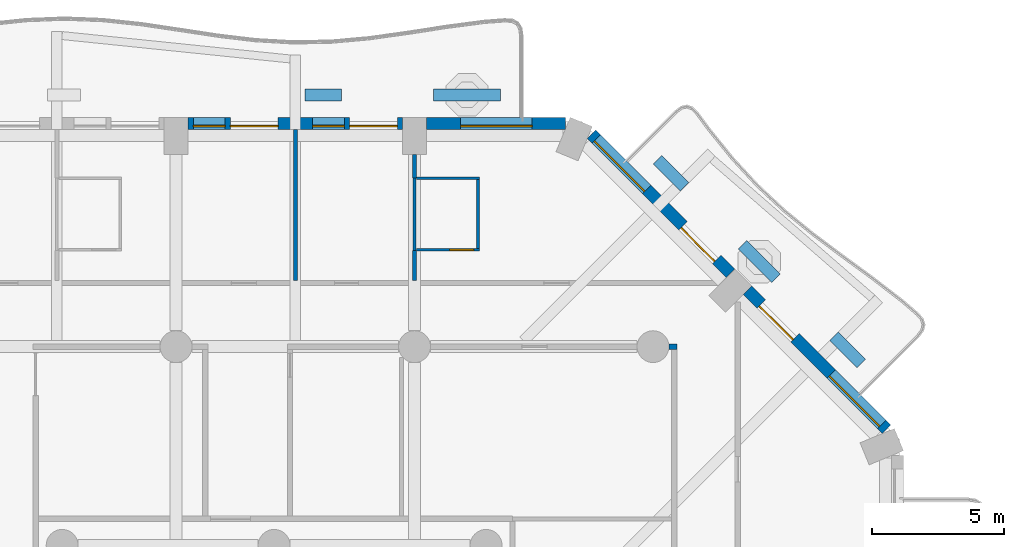
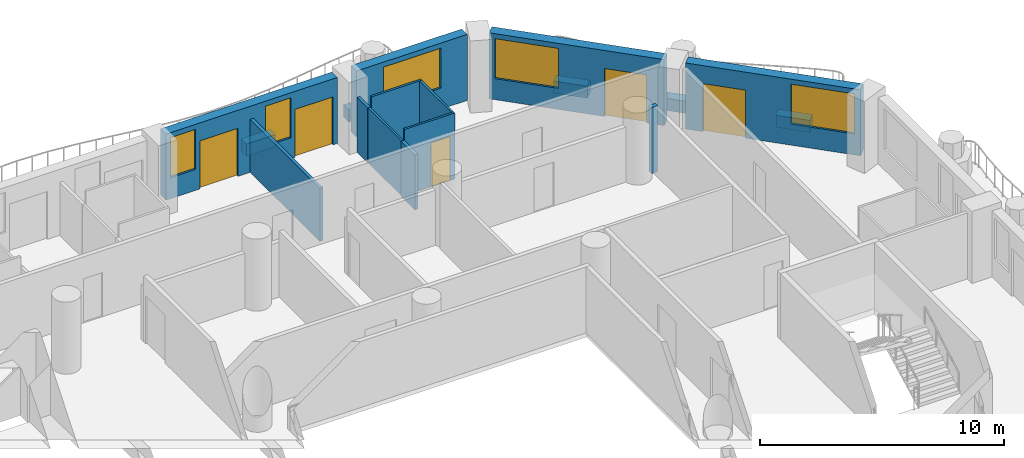
# One storey, part 9 of 19: 17 walls, 5 doors, 5 windows, 10 openings.
"""IFC4 building model written with IfcOpenShell, lengths in metres."""

from ifc_helpers import new_model, si_unit, direction, frame, frame_2d, origin, place, context, subcontext, project, spatial, rectangle, extrude, material, layer, layer_set, type_object, element, fill, save


model = new_model("IFC4")

# Units and contexts
model_context = context("Model", 3, precision=1e-05, world=origin(), true_north=direction((0.0, 1.0)))
body_context = subcontext(model_context, "Body", "Model", "MODEL_VIEW")
ifc_project = project(units=[si_unit("LENGTHUNIT", "METRE"), si_unit("AREAUNIT", "SQUARE_METRE"), si_unit("VOLUMEUNIT", "CUBIC_METRE"), si_unit("PLANEANGLEUNIT", "RADIAN"), si_unit("MASSUNIT", "GRAM", prefix="KILO")], contexts=[model_context])

# Site, building, storey
site_placement = place(None, origin())
site = spatial("IfcSite", under=ifc_project, at=site_placement, CompositionType="ELEMENT")
building_placement = place(site_placement, origin())
building = spatial("IfcBuilding", under=site, at=building_placement, Name="Cypress Arch Tower", CompositionType="ELEMENT")
storey_placement = place(building_placement, frame((0.0, 0.0, 98.699951171875)))
storey = spatial("IfcBuildingStorey", under=building, at=storey_placement, Name="L19", CompositionType="ELEMENT", Elevation=98.699951171875)

# Walls
ifc_material_1 = material(Name="Concrete C40/50, waterproofed", Category="concrete")
ifc_layer_1 = layer(ifc_material_1, 0.449951171875)
ifc_layer_set_1 = layer_set([ifc_layer_1], Name="Balcony planter wall PW450")
wall_type_1 = type_object("IfcWallType", Name="Balcony planter wall PW450", PredefinedType="SOLIDWALL", material=ifc_layer_set_1)
wall_1_placement = place(storey_placement, frame((23.150390625, 16.86376953125, 0.0), z_axis=(0.0, 0.0, 1.0), x_axis=(-0.707106781187, 0.707106781187, 0.0)))
element("IfcWall", 1, at=wall_1_placement, inside=storey, type_object=wall_type_1, Name="Balcony planter wall L19-A07.1", PredefinedType="SOLIDWALL", context=body_context, shape_type="SweptSolid", body=[
    extrude(rectangle(XDim=1.44482421875, YDim=0.449951171875, at=frame_2d((0.722412109375, 0.0))), origin(), (0.0, 0.0, 1.0), 0.60009765625),
])
wall_2_placement = place(storey_placement, frame((19.9365234375, 20.07763671875, 0.0), z_axis=(0.0, 0.0, 1.0), x_axis=(-0.707106781187, 0.707106781187, 0.0)))
element("IfcWall", 2, at=wall_2_placement, inside=storey, type_object=wall_type_1, Name="Balcony planter wall L19-A07.2", PredefinedType="SOLIDWALL", context=body_context, shape_type="SweptSolid", body=[
    extrude(rectangle(XDim=1.780517578125, YDim=0.449951171875, at=frame_2d((0.89013671875, 0.0))), origin(), (0.0, 0.0, 1.0), 0.60009765625),
])
wall_3_placement = place(storey_placement, frame((16.485595703125, 23.528564453125, 0.0), z_axis=(0.0, 0.0, 1.0), x_axis=(-0.707022305137, 0.707191247145, 0.0)))
element("IfcWall", 3, at=wall_3_placement, inside=storey, type_object=wall_type_1, Name="Balcony planter wall L19-A07.3", PredefinedType="SOLIDWALL", context=body_context, shape_type="SweptSolid", body=[
    extrude(rectangle(XDim=1.445068359375, YDim=0.449951171875, at=frame_2d((0.72265625, 0.0))), origin(), (0.0, 0.0, 1.0), 0.60009765625),
])
wall_4_placement = place(storey_placement, frame((9.550048828125, 27.0, 0.0), z_axis=(0.0, 0.0, 1.0), x_axis=(-1.0, 0.0, 0.0)))
element("IfcWall", 4, at=wall_4_placement, inside=storey, type_object=wall_type_1, Name="Balcony planter wall L19-A08.1", PredefinedType="SOLIDWALL", context=body_context, shape_type="SweptSolid", body=[
    extrude(rectangle(XDim=2.53759765625, YDim=0.449951171875, at=frame_2d((1.268798828125, 0.0))), origin(), (0.0, 0.0, 1.0), 0.60009765625),
])
wall_5_placement = place(storey_placement, frame((3.550048828125, 27.0, 0.0), z_axis=(0.0, 0.0, 1.0), x_axis=(-1.0, 0.0, 0.0)))
element("IfcWall", 5, at=wall_5_placement, inside=storey, type_object=wall_type_1, Name="Balcony planter wall L19-A08.2", PredefinedType="SOLIDWALL", context=body_context, shape_type="SweptSolid", body=[
    extrude(rectangle(XDim=1.375, YDim=0.449951171875, at=frame_2d((0.6875, 0.0))), origin(), (0.0, 0.0, 1.0), 0.60009765625),
])

# Wall, openings, door, window
ifc_material_2 = material(Name="Brick (red buff blend)", Category="masonry")
ifc_layer_2 = layer(ifc_material_2, 0.449951171875)
ifc_layer_set_2 = layer_set([ifc_layer_2], Name="Brick pier and spandrel wall BW450")
wall_type_2 = type_object("IfcWallType", Name="Brick pier and spandrel wall BW450", PredefinedType="SOLIDWALL", material=ifc_layer_set_2)
wall_6_placement = place(storey_placement, frame((24.11474609375, 14.379150390625, 0.0), z_axis=(0.0, 0.0, 1.0), x_axis=(-0.707106781187, 0.707106781187, 0.0)))
wall_6 = element("IfcWall", 6, at=wall_6_placement, inside=storey, type_object=wall_type_2, Name="Brick wall L19 A07.0", PredefinedType="SOLIDWALL", context=body_context, shape_type="SweptSolid", body=[
    extrude(rectangle(XDim=7.423828125, YDim=0.449951171875, at=frame_2d((3.7119140625, 0.0))), origin(), (0.0, 0.0, 1.0), 3.300048828125),
])
opening_1_placement = place(wall_6_placement, frame((0.253173828125, 0.0, 1.050048828125)))
opening_1 = element("IfcOpeningElement", 7, at=opening_1_placement, cuts=wall_6, Name="Opening W270HD", PredefinedType="OPENING", context=body_context, shape_type="SweptSolid", body=[
    extrude(rectangle(XDim=2.699951171875, YDim=2.0, at=frame_2d((1.35009765625, 1.0))), frame((0.0, 0.23486328125, 0.0), z_axis=(0.0, -1.0, 0.0), x_axis=(1.0, 0.0, 0.0)), (0.0, 0.0, 1.0), 0.469970703125),
])
opening_2_placement = place(wall_6_placement, frame((4.8837890625, 0.0, 0.0)))
opening_2 = element("IfcOpeningElement", 8, at=opening_2_placement, cuts=wall_6, Name="Opening D-L19-A07.0.2", PredefinedType="OPENING", context=body_context, shape_type="SweptSolid", body=[
    extrude(rectangle(XDim=1.800048828125, YDim=2.39990234375, at=frame_2d((0.89990234375, 1.199951171875))), frame((0.0, 0.23486328125, 0.0), z_axis=(0.0, -1.0, 0.0), x_axis=(1.0, 0.0, 0.0)), (0.0, 0.0, 1.0), 0.469970703125),
])
ifc_material_3 = material(Name="Anodised aluminium, bronze finish, laminated low-emissivity double glazing, large-missile impact rated", Category="aluminium")
door_type_1 = type_object("IfcDoorType", Name="Balcony sliding door 1800x2400", OperationType="SLIDING_TO_LEFT", PredefinedType="DOOR", material=ifc_material_3)
door_1_placement = place(opening_2_placement, origin())
door_1 = element("IfcDoor", 9, at=door_1_placement, inside=storey, type_object=door_type_1, Name="Balcony door L19 A07.0.2", OperationType="SLIDING_TO_LEFT", OverallHeight=2.39990234375, OverallWidth=1.800048828125, PredefinedType="DOOR", context=body_context, shape_type="SweptSolid", body=[
    extrude(rectangle(XDim=1.800048828125, YDim=2.39990234375, at=frame_2d((0.89990234375, 1.199951171875))), frame((0.0, 0.1298828125, 0.0), z_axis=(0.0, -1.0, 0.0), x_axis=(1.0, 0.0, 0.0)), (0.0, 0.0, 1.0), 0.050048828125),
])
fill(opening_2, door_1)
ifc_material_4 = material(Name="Anodised aluminium, bronze finish, laminated low-emissivity double glazing, large-missile impact rated", Category="aluminium")
window_type_1 = type_object("IfcWindowType", Name="Window Hotel 2700x2000 debris-rated", PartitioningType="SINGLE_PANEL", PredefinedType="WINDOW", material=ifc_material_4)
window_1_placement = place(opening_1_placement, origin())
window_1 = element("IfcWindow", 10, at=window_1_placement, inside=storey, type_object=window_type_1, Name="Window L19 A07.0.1", OverallHeight=2.0, OverallWidth=2.699951171875, PartitioningType="SINGLE_PANEL", PredefinedType="WINDOW", context=body_context, shape_type="SweptSolid", body=[
    extrude(rectangle(XDim=2.699951171875, YDim=2.0, at=frame_2d((1.35009765625, 1.0))), frame((0.0, 0.135009765625, 0.0), z_axis=(0.0, -1.0, 0.0), x_axis=(1.0, 0.0, 0.0)), (0.0, 0.0, 1.0), 0.06005859375),
])
fill(opening_1, window_1)

wall_7_placement = place(storey_placement, frame((18.228759765625, 20.26513671875, 0.0), z_axis=(0.0, 0.0, 1.0), x_axis=(-0.707106781187, 0.707106781187, 0.0)))
wall_7 = element("IfcWall", 11, at=wall_7_placement, inside=storey, type_object=wall_type_2, Name="Brick wall L19 A07.1", PredefinedType="SOLIDWALL", context=body_context, shape_type="SweptSolid", body=[
    extrude(rectangle(XDim=7.423828125, YDim=0.449951171875, at=frame_2d((3.7119140625, 0.0))), origin(), (0.0, 0.0, 1.0), 3.300048828125),
])
opening_3_placement = place(wall_7_placement, frame((0.740234375, 0.0, 0.0)))
opening_3 = element("IfcOpeningElement", 12, at=opening_3_placement, cuts=wall_7, Name="Opening D-L19-A07.1.1", PredefinedType="OPENING", context=body_context, shape_type="SweptSolid", body=[
    extrude(rectangle(XDim=1.800048828125, YDim=2.39990234375, at=frame_2d((0.89990234375, 1.199951171875))), frame((0.0, 0.23486328125, 0.0), z_axis=(0.0, -1.0, 0.0), x_axis=(1.0, 0.0, 0.0)), (0.0, 0.0, 1.0), 0.469970703125),
])
opening_4_placement = place(wall_7_placement, frame((4.470703125, 0.0, 1.050048828125)))
opening_4 = element("IfcOpeningElement", 13, at=opening_4_placement, cuts=wall_7, Name="Opening W270HD", PredefinedType="OPENING", context=body_context, shape_type="SweptSolid", body=[
    extrude(rectangle(XDim=2.699951171875, YDim=2.0, at=frame_2d((1.35009765625, 1.0))), frame((0.0, 0.23486328125, 0.0), z_axis=(0.0, -1.0, 0.0), x_axis=(1.0, 0.0, 0.0)), (0.0, 0.0, 1.0), 0.469970703125),
])
door_2_placement = place(opening_3_placement, origin())
door_2 = element("IfcDoor", 14, at=door_2_placement, inside=storey, type_object=door_type_1, Name="Balcony door L19 A07.1.1", OperationType="SLIDING_TO_LEFT", OverallHeight=2.39990234375, OverallWidth=1.800048828125, PredefinedType="DOOR", context=body_context, shape_type="SweptSolid", body=[
    extrude(rectangle(XDim=1.800048828125, YDim=2.39990234375, at=frame_2d((0.89990234375, 1.199951171875))), frame((0.0, 0.1298828125, 0.0), z_axis=(0.0, -1.0, 0.0), x_axis=(1.0, 0.0, 0.0)), (0.0, 0.0, 1.0), 0.050048828125),
])
fill(opening_3, door_2)
window_2_placement = place(opening_4_placement, origin())
window_2 = element("IfcWindow", 15, at=window_2_placement, inside=storey, type_object=window_type_1, Name="Window L19 A07.1.2", OverallHeight=2.0, OverallWidth=2.699951171875, PartitioningType="SINGLE_PANEL", PredefinedType="WINDOW", context=body_context, shape_type="SweptSolid", body=[
    extrude(rectangle(XDim=2.699951171875, YDim=2.0, at=frame_2d((1.35009765625, 1.0))), frame((0.0, 0.135009765625, 0.0), z_axis=(0.0, -1.0, 0.0), x_axis=(1.0, 0.0, 0.0)), (0.0, 0.0, 1.0), 0.06005859375),
])
fill(opening_4, window_2)

# Wall, opening, window
wall_8_placement = place(storey_placement, frame((11.98876953125, 25.925048828125, 0.0), z_axis=(0.0, 0.0, 1.0), x_axis=(-1.0, 0.0, 0.0)))
wall_8 = element("IfcWall", 16, at=wall_8_placement, inside=storey, type_object=wall_type_2, Name="Brick wall L19 A08.0", PredefinedType="SOLIDWALL", context=body_context, shape_type="SweptSolid", body=[
    extrude(rectangle(XDim=5.23876953125, YDim=0.449951171875, at=frame_2d((2.619384765625, 0.0))), origin(), (0.0, 0.0, 1.0), 3.300048828125),
])
opening_5_placement = place(wall_8_placement, frame((1.250732421875, 0.0, 1.050048828125)))
opening_5 = element("IfcOpeningElement", 17, at=opening_5_placement, cuts=wall_8, Name="Opening W270HD", PredefinedType="OPENING", context=body_context, shape_type="SweptSolid", body=[
    extrude(rectangle(XDim=2.699951171875, YDim=2.0, at=frame_2d((1.35009765625, 1.0))), frame((0.0, 0.23486328125, 0.0), z_axis=(0.0, -1.0, 0.0), x_axis=(1.0, 0.0, 0.0)), (0.0, 0.0, 1.0), 0.469970703125),
])
window_3_placement = place(opening_5_placement, origin())
window_3 = element("IfcWindow", 18, at=window_3_placement, inside=storey, type_object=window_type_1, Name="Window L19 A08.0.1", OverallHeight=2.0, OverallWidth=2.699951171875, PartitioningType="SINGLE_PANEL", PredefinedType="WINDOW", context=body_context, shape_type="SweptSolid", body=[
    extrude(rectangle(XDim=2.699951171875, YDim=2.0, at=frame_2d((1.35009765625, 1.0))), frame((0.0, 0.135009765625, 0.0), z_axis=(0.0, -1.0, 0.0), x_axis=(1.0, 0.0, 0.0)), (0.0, 0.0, 1.0), 0.06005859375),
])
fill(opening_5, window_3)

# Wall, openings, doors, windows
wall_9_placement = place(storey_placement, frame((5.85009765625, 25.925048828125, 0.0), z_axis=(0.0, 0.0, 1.0), x_axis=(-1.0, 0.0, 0.0)))
wall_9 = element("IfcWall", 19, at=wall_9_placement, inside=storey, type_object=wall_type_2, Name="Brick wall L19 A08.1", PredefinedType="SOLIDWALL", context=body_context, shape_type="SweptSolid", body=[
    extrude(rectangle(XDim=8.10009765625, YDim=0.449951171875, at=frame_2d((4.050048828125, 0.0))), origin(), (0.0, 0.0, 1.0), 3.300048828125),
])
opening_6_placement = place(wall_9_placement, frame((0.199951171875, 0.0, 0.0)))
opening_6 = element("IfcOpeningElement", 20, at=opening_6_placement, cuts=wall_9, Name="Opening D-L19-A08.1.1", PredefinedType="OPENING", context=body_context, shape_type="SweptSolid", body=[
    extrude(rectangle(XDim=1.800048828125, YDim=2.39990234375, at=frame_2d((0.89990234375, 1.199951171875))), frame((0.0, 0.23486328125, 0.0), z_axis=(0.0, -1.0, 0.0), x_axis=(1.0, 0.0, 0.0)), (0.0, 0.0, 1.0), 0.469970703125),
])
opening_7_placement = place(wall_9_placement, frame((2.199951171875, 0.0, 1.050048828125)))
opening_7 = element("IfcOpeningElement", 21, at=opening_7_placement, cuts=wall_9, Name="Opening W120HD", PredefinedType="OPENING", context=body_context, shape_type="SweptSolid", body=[
    extrude(rectangle(XDim=1.199951171875, YDim=2.0, at=frame_2d((0.60009765625, 1.0))), frame((0.0, 0.23486328125, 0.0), z_axis=(0.0, -1.0, 0.0), x_axis=(1.0, 0.0, 0.0)), (0.0, 0.0, 1.0), 0.469970703125),
])
opening_8_placement = place(wall_9_placement, frame((4.699951171875, 0.0, 0.0)))
opening_8 = element("IfcOpeningElement", 22, at=opening_8_placement, cuts=wall_9, Name="Opening D-L19-A08.1.2", PredefinedType="OPENING", context=body_context, shape_type="SweptSolid", body=[
    extrude(rectangle(XDim=1.800048828125, YDim=2.39990234375, at=frame_2d((0.89990234375, 1.199951171875))), frame((0.0, 0.23486328125, 0.0), z_axis=(0.0, -1.0, 0.0), x_axis=(1.0, 0.0, 0.0)), (0.0, 0.0, 1.0), 0.469970703125),
])
opening_9_placement = place(wall_9_placement, frame((6.699951171875, 0.0, 1.050048828125)))
opening_9 = element("IfcOpeningElement", 23, at=opening_9_placement, cuts=wall_9, Name="Opening W120HD", PredefinedType="OPENING", context=body_context, shape_type="SweptSolid", body=[
    extrude(rectangle(XDim=1.199951171875, YDim=2.0, at=frame_2d((0.60009765625, 1.0))), frame((0.0, 0.23486328125, 0.0), z_axis=(0.0, -1.0, 0.0), x_axis=(1.0, 0.0, 0.0)), (0.0, 0.0, 1.0), 0.469970703125),
])
door_3_placement = place(opening_6_placement, origin())
door_3 = element("IfcDoor", 24, at=door_3_placement, inside=storey, type_object=door_type_1, Name="Balcony door L19 A08.1.1", OperationType="SLIDING_TO_LEFT", OverallHeight=2.39990234375, OverallWidth=1.800048828125, PredefinedType="DOOR", context=body_context, shape_type="SweptSolid", body=[
    extrude(rectangle(XDim=1.800048828125, YDim=2.39990234375, at=frame_2d((0.89990234375, 1.199951171875))), frame((0.0, 0.1298828125, 0.0), z_axis=(0.0, -1.0, 0.0), x_axis=(1.0, 0.0, 0.0)), (0.0, 0.0, 1.0), 0.050048828125),
])
fill(opening_6, door_3)
door_4_placement = place(opening_8_placement, origin())
door_4 = element("IfcDoor", 25, at=door_4_placement, inside=storey, type_object=door_type_1, Name="Balcony door L19 A08.1.2", OperationType="SLIDING_TO_LEFT", OverallHeight=2.39990234375, OverallWidth=1.800048828125, PredefinedType="DOOR", context=body_context, shape_type="SweptSolid", body=[
    extrude(rectangle(XDim=1.800048828125, YDim=2.39990234375, at=frame_2d((0.89990234375, 1.199951171875))), frame((0.0, 0.1298828125, 0.0), z_axis=(0.0, -1.0, 0.0), x_axis=(1.0, 0.0, 0.0)), (0.0, 0.0, 1.0), 0.050048828125),
])
fill(opening_8, door_4)
ifc_material_5 = material(Name="Anodised aluminium, bronze finish, laminated low-emissivity double glazing, large-missile impact rated", Category="aluminium")
window_type_2 = type_object("IfcWindowType", Name="Window Hotel 1200x2000 debris-rated", PartitioningType="SINGLE_PANEL", PredefinedType="WINDOW", material=ifc_material_5)
window_4_placement = place(opening_7_placement, origin())
window_4 = element("IfcWindow", 26, at=window_4_placement, inside=storey, type_object=window_type_2, Name="Window L19 A08.1.1", OverallHeight=2.0, OverallWidth=1.199951171875, PartitioningType="SINGLE_PANEL", PredefinedType="WINDOW", context=body_context, shape_type="SweptSolid", body=[
    extrude(rectangle(XDim=1.199951171875, YDim=2.0, at=frame_2d((0.60009765625, 1.0))), frame((0.0, 0.135009765625, 0.0), z_axis=(0.0, -1.0, 0.0), x_axis=(1.0, 0.0, 0.0)), (0.0, 0.0, 1.0), 0.06005859375),
])
fill(opening_7, window_4)
window_5_placement = place(opening_9_placement, origin())
window_5 = element("IfcWindow", 27, at=window_5_placement, inside=storey, type_object=window_type_2, Name="Window L19 A08.1.2", OverallHeight=2.0, OverallWidth=1.199951171875, PartitioningType="SINGLE_PANEL", PredefinedType="WINDOW", context=body_context, shape_type="SweptSolid", body=[
    extrude(rectangle(XDim=1.199951171875, YDim=2.0, at=frame_2d((0.60009765625, 1.0))), frame((0.0, 0.135009765625, 0.0), z_axis=(0.0, -1.0, 0.0), x_axis=(1.0, 0.0, 0.0)), (0.0, 0.0, 1.0), 0.06005859375),
])
fill(opening_9, window_5)

# Walls
ifc_material_6 = material(Name="Concrete blockwork, plastered, rated", Category="masonry")
ifc_layer_3 = layer(ifc_material_6, 0.199951171875)
ifc_layer_set_3 = layer_set([ifc_layer_3], Name="Corridor wall FW200")
wall_type_3 = type_object("IfcWallType", Name="Corridor wall FW200", PredefinedType="PARTITIONING", material=ifc_layer_set_3)
wall_10_placement = place(storey_placement, frame((15.89990234375, 17.5, 0.0), z_axis=(0.0, 0.0, 1.0), x_axis=(1.0, 0.0, 0.0)))
element("IfcWall", 28, at=wall_10_placement, inside=storey, type_object=wall_type_3, Name="Corridor wall", PredefinedType="PARTITIONING", context=body_context, shape_type="SweptSolid", body=[
    extrude(rectangle(XDim=0.300048828125, YDim=0.199951171875, at=frame_2d((0.14990234375, 0.0))), origin(), (0.0, 0.0, 1.0), 3.300048828125),
])
ifc_material_7 = material(Name="Blockwork, plastered both sides", Category="masonry")
ifc_layer_4 = layer(ifc_material_7, 0.14990234375)
ifc_layer_set_4 = layer_set([ifc_layer_4], Name="Partition PW150")
wall_type_4 = type_object("IfcWallType", Name="Partition PW150", PredefinedType="PARTITIONING", material=ifc_layer_set_4)
wall_11_placement = place(storey_placement, frame((1.800048828125, 20.0, 0.0), z_axis=(0.0, 0.0, 1.0), x_axis=(0.0, 1.0, 0.0)))
element("IfcWall", 29, at=wall_11_placement, inside=storey, type_object=wall_type_4, Name="Partition", PredefinedType="PARTITIONING", context=body_context, shape_type="SweptSolid", body=[
    extrude(rectangle(XDim=5.699951171875, YDim=0.14990234375, at=frame_2d((2.85009765625, 0.0))), origin(), (0.0, 0.0, 1.0), 2.650146484375),
])
wall_12_placement = place(storey_placement, frame((6.300048828125, 20.0, 0.0), z_axis=(0.0, 0.0, 1.0), x_axis=(0.0, 1.0, 0.0)))
element("IfcWall", 30, at=wall_12_placement, inside=storey, type_object=wall_type_4, Name="Partition", PredefinedType="PARTITIONING", context=body_context, shape_type="SweptSolid", body=[
    extrude(rectangle(XDim=1.1298828125, YDim=0.14990234375, at=frame_2d((0.56494140625, 0.0))), origin(), (0.0, 0.0, 1.0), 2.75),
])
wall_13_placement = place(storey_placement, frame((6.300048828125, 23.8701171875, 0.0), z_axis=(0.0, 0.0, 1.0), x_axis=(0.0, 1.0, 0.0)))
element("IfcWall", 31, at=wall_13_placement, inside=storey, type_object=wall_type_4, Name="Partition", PredefinedType="PARTITIONING", context=body_context, shape_type="SweptSolid", body=[
    extrude(rectangle(XDim=0.8798828125, YDim=0.14990234375, at=frame_2d((0.43994140625, 0.0))), origin(), (0.0, 0.0, 1.0), 2.75),
])
ifc_material_8 = material(Name="Moisture resistant board on steel studs, tiled", Category="steel")
ifc_layer_5 = layer(ifc_material_8, 0.10009765625)
ifc_layer_set_5 = layer_set([ifc_layer_5], Name="Wet wall PW100")
wall_type_5 = type_object("IfcWallType", Name="Wet wall PW100", PredefinedType="PARTITIONING", material=ifc_layer_set_5)
wall_14_placement = place(storey_placement, frame((6.300048828125, 21.1298828125, 0.0), z_axis=(0.0, 0.0, 1.0), x_axis=(0.0, 1.0, 0.0)))
element("IfcWall", 32, at=wall_14_placement, inside=storey, type_object=wall_type_5, Name="Wet wall", PredefinedType="PARTITIONING", context=body_context, shape_type="SweptSolid", body=[
    extrude(rectangle(XDim=2.740234375, YDim=0.10009765625, at=frame_2d((1.3701171875, 0.0))), origin(), (0.0, 0.0, 1.0), 2.75),
])

# Wall, opening, door
wall_15_placement = place(storey_placement, frame((6.375, 21.14990234375, 0.0), z_axis=(0.0, 0.0, 1.0), x_axis=(1.0, 0.0, 0.0)))
wall_15 = element("IfcWall", 33, at=wall_15_placement, inside=storey, type_object=wall_type_5, Name="Wet wall", PredefinedType="PARTITIONING", context=body_context, shape_type="SweptSolid", body=[
    extrude(rectangle(XDim=2.37109375, YDim=0.10009765625, at=frame_2d((1.185546875, 0.0))), origin(), (0.0, 0.0, 1.0), 3.300048828125),
])
opening_10_placement = place(wall_15_placement, frame((1.25, 0.0, 0.0)))
opening_10 = element("IfcOpeningElement", 34, at=opening_10_placement, cuts=wall_15, Name="Opening D03", PredefinedType="OPENING", context=body_context, shape_type="SweptSolid", body=[
    extrude(rectangle(XDim=0.89990234375, YDim=2.199951171875, at=frame_2d((0.449951171875, 1.10009765625))), frame((0.0, 0.06005859375, 0.0), z_axis=(0.0, -1.0, 0.0), x_axis=(1.0, 0.0, 0.0)), (0.0, 0.0, 1.0), 0.1201171875),
])
ifc_material_9 = material(Name="Timber flush door, moisture resistant", Category="wood")
door_type_2 = type_object("IfcDoorType", Name="Bathroom door D03 900x2200", OperationType="SINGLE_SWING_LEFT", PredefinedType="DOOR", material=ifc_material_9)
door_5_placement = place(opening_10_placement, origin())
door_5 = element("IfcDoor", 35, at=door_5_placement, inside=storey, type_object=door_type_2, Name="Bathroom door", OperationType="SINGLE_SWING_RIGHT", OverallHeight=2.199951171875, OverallWidth=0.89990234375, PredefinedType="DOOR", context=body_context, shape_type="SweptSolid", body=[
    extrude(rectangle(XDim=0.89990234375, YDim=2.199951171875, at=frame_2d((0.449951171875, 1.10009765625))), frame((0.0, 0.02490234375, 0.0), z_axis=(0.0, -1.0, 0.0), x_axis=(1.0, 0.0, 0.0)), (0.0, 0.0, 1.0), 0.050048828125),
])
fill(opening_10, door_5)

# Walls
wall_16_placement = place(storey_placement, frame((6.375, 23.85009765625, 0.0), z_axis=(0.0, 0.0, 1.0), x_axis=(1.0, 0.0, 0.0)))
element("IfcWall", 36, at=wall_16_placement, inside=storey, type_object=wall_type_5, Name="Wet wall", PredefinedType="PARTITIONING", context=body_context, shape_type="SweptSolid", body=[
    extrude(rectangle(XDim=2.37109375, YDim=0.10009765625, at=frame_2d((1.185546875, 0.0))), origin(), (0.0, 0.0, 1.0), 3.300048828125),
])
wall_17_placement = place(storey_placement, frame((8.696044921875, 21.199951171875, 0.0), z_axis=(0.0, 0.0, 1.0), x_axis=(0.0, 1.0, 0.0)))
element("IfcWall", 37, at=wall_17_placement, inside=storey, type_object=wall_type_5, Name="Wet wall", PredefinedType="PARTITIONING", context=body_context, shape_type="SweptSolid", body=[
    extrude(rectangle(XDim=2.60009765625, YDim=0.10009765625, at=frame_2d((1.300048828125, 0.0))), origin(), (0.0, 0.0, 1.0), 3.300048828125),
])

save(model, "model.ifc")
